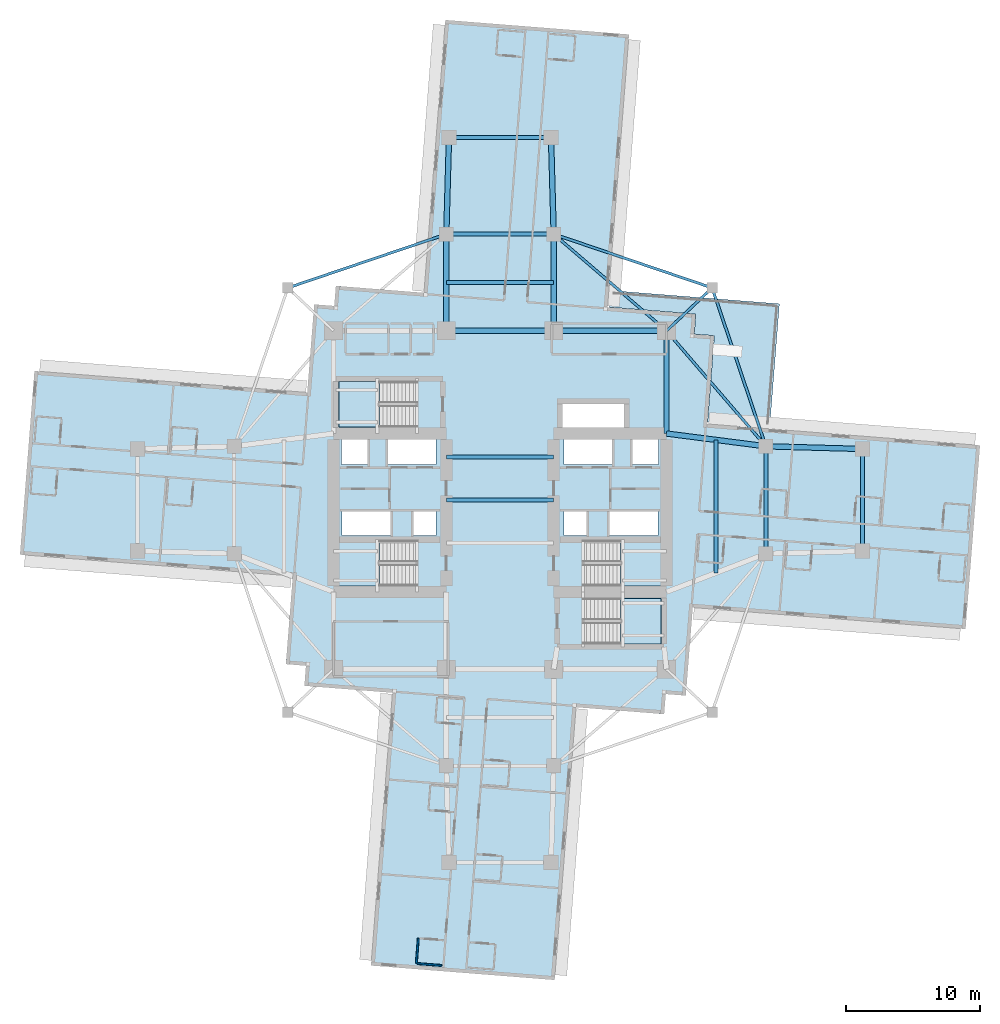
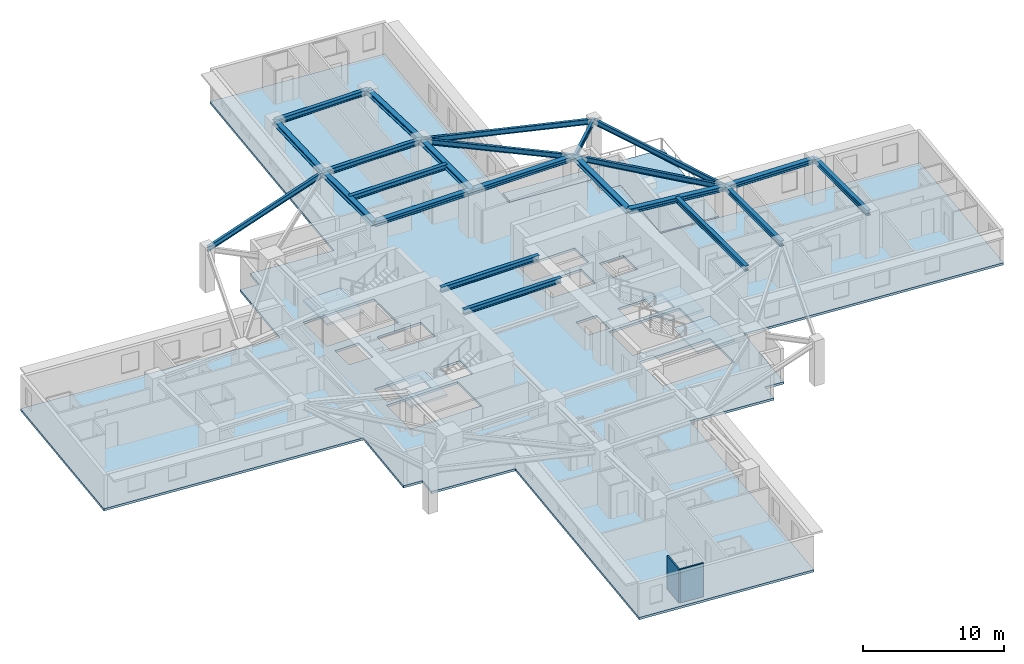
# One storey, part 2 of 14: 23 beams, 6 slabs, 2 walls, 4 elements without a shape of their own.
"""IFC4 building model written with IfcOpenShell, lengths in metres."""

import ifcopenshell
import ifcopenshell.guid

model = None  # the IFC model being written
_history = None  # IfcOwnerHistory: only IFC2X3 demands one
_inside = {}  # id of a spatial element -> (the spatial element, [elements in it])
_under = {}  # id of a project, library or spatial element -> (it, [spatial elements below it])
_declared = {}  # id of a project -> (the project, [libraries it declares])
_typed = {}  # id of a type object -> (the type object, [elements of that type])
_made_of = {}  # id of a material, layer set ... -> (it, [elements and type objects made of it])


def new_model(schema):
    """Start an empty IFC model of exactly this schema.

    Asked for "IFC4X3", IfcOpenShell would pick the latest addendum, in which some entities
    have other attributes; the version numbers below select the first issue.
    IFC2X3 requires an IfcOwnerHistory on every rooted entity: one is made here for all.
    """
    global model, _history
    if schema == "IFC4X3":
        model = ifcopenshell.file(schema_version=(4, 3, 0, 0))
    else:
        model = ifcopenshell.file(schema=schema)
    _inside.clear()
    _under.clear()
    _declared.clear()
    _typed.clear()
    _made_of.clear()
    _history = None
    if model.schema == "IFC2X3":
        org = make("IfcOrganization", Name="unknown")
        user = make(
            "IfcPersonAndOrganization",
            ThePerson=make("IfcPerson", FamilyName="unknown"),
            TheOrganization=org,
        )
        app = make(
            "IfcApplication",
            ApplicationDeveloper=org,
            Version="unknown",
            ApplicationFullName="unknown",
            ApplicationIdentifier="unknown",
        )
        _history = make(
            "IfcOwnerHistory",
            OwningUser=user,
            OwningApplication=app,
            ChangeAction="ADDED",
            CreationDate=0,
        )
    return model


def make(cls, **values):
    """One entity of the class cls with the attributes given. An attribute that is None is left unset."""
    return model.create_entity(
        cls, **{name: value for name, value in values.items() if value is not None}
    )


def rooted(cls, **values):
    """An entity with a GlobalId (a new one), such as an element, a storey or a relation."""
    return make(cls, GlobalId=ifcopenshell.guid.new(), OwnerHistory=_history, **values)


def si_unit(unit_type, name, prefix=None):
    """IfcSIUnit, for example si_unit("LENGTHUNIT", "METRE", prefix="MILLI")."""
    return make("IfcSIUnit", UnitType=unit_type, Prefix=prefix, Name=name)


def assignment(units):
    """IfcUnitAssignment: the units of a project."""
    return None if units is None else make("IfcUnitAssignment", Units=units)


def point(xyz):
    """IfcCartesianPoint."""
    return None if xyz is None else make("IfcCartesianPoint", Coordinates=xyz)


def direction(xyz):
    """IfcDirection."""
    return None if xyz is None else make("IfcDirection", DirectionRatios=xyz)


def frame(location, z_axis=None, x_axis=None):
    """IfcAxis2Placement3D, a coordinate frame: its origin and axes. An axis left out is left unset."""
    return make(
        "IfcAxis2Placement3D",
        Location=point(location),
        Axis=direction(z_axis),
        RefDirection=direction(x_axis),
    )


def frame_2d(location, x_axis=None):
    """IfcAxis2Placement2D, a coordinate frame in the plane: its origin and x axis."""
    return make(
        "IfcAxis2Placement2D", Location=point(location), RefDirection=direction(x_axis)
    )


def origin():
    """The frame at (0, 0, 0) with its axes left unset."""
    return frame((0.0, 0.0, 0.0))


def origin_2d():
    """The frame at (0, 0) in the plane with its x axis left unset."""
    return frame_2d((0.0, 0.0))


def place(relative_to, where):
    """IfcLocalPlacement: puts the frame where relative to a parent placement (None: the world)."""
    return make(
        "IfcLocalPlacement", PlacementRelTo=relative_to, RelativePlacement=where
    )


def context(
    kind, dimensions, precision=None, world=None, true_north=None, identifier=None
):
    """IfcGeometricRepresentationContext, for example the 3D "Model" context."""
    return make(
        "IfcGeometricRepresentationContext",
        ContextIdentifier=identifier,
        ContextType=kind,
        CoordinateSpaceDimension=dimensions,
        Precision=precision,
        WorldCoordinateSystem=world,
        TrueNorth=true_north,
    )


def subcontext(parent, identifier, kind, view, scale=None):
    """IfcGeometricRepresentationSubContext, for example "Body" below "Model"."""
    return make(
        "IfcGeometricRepresentationSubContext",
        ContextIdentifier=identifier,
        ContextType=kind,
        ParentContext=parent,
        TargetScale=scale,
        TargetView=view,
    )


def project(units=None, contexts=None):
    """IfcProject with its units and contexts."""
    return rooted(
        "IfcProject",
        Name="project",
        RepresentationContexts=contexts,
        UnitsInContext=assignment(units),
    )


def spatial(cls, under=None, at=None, **own):
    """A site, building, storey or space (cls), placed at a placement, below another one or the project."""
    s = rooted(cls, ObjectPlacement=at, **own)
    if under is not None:
        _under.setdefault(under.id(), (under, []))[1].append(s)
    return s


def polyline(points):
    """IfcPolyline through the points."""
    return make("IfcPolyline", Points=[point(p) for p in points])


def profile(cls, at=None, kind="AREA", **sizes):
    """A parametric profile (cls). Its sizes go by their IFC names, for example OverallWidth=200.0."""
    return make(cls, ProfileType=kind, Position=at, **sizes)


def rectangle(**sizes):
    """IfcRectangleProfileDef."""
    return profile("IfcRectangleProfileDef", **sizes)


def i_section(**sizes):
    """IfcIShapeProfileDef."""
    return profile("IfcIShapeProfileDef", **sizes)


def outline(outer, holes=None, kind="AREA"):
    """IfcArbitraryClosedProfileDef: a profile drawn as a closed curve; with holes, ...WithVoids."""
    if holes is None:
        return make("IfcArbitraryClosedProfileDef", ProfileType=kind, OuterCurve=outer)
    return make(
        "IfcArbitraryProfileDefWithVoids",
        ProfileType=kind,
        OuterCurve=outer,
        InnerCurves=holes,
    )


def extrude(swept, where, along, depth):
    """IfcExtrudedAreaSolid: the profile swept, set in the frame where, extruded along a direction by depth."""
    return make(
        "IfcExtrudedAreaSolid",
        SweptArea=swept,
        Position=where,
        ExtrudedDirection=direction(along),
        Depth=depth,
    )


def shape(context_of_items, identifier, shape_type, items):
    """IfcShapeRepresentation: the items that make up one representation, for example the "Body"."""
    return make(
        "IfcShapeRepresentation",
        ContextOfItems=context_of_items,
        RepresentationIdentifier=identifier,
        RepresentationType=shape_type,
        Items=items,
    )


def material(Name=None, Category=None):
    """IfcMaterial."""
    return make("IfcMaterial", Name=Name, Category=Category)


def layer(
    of_material, thickness, ventilated=None, Name=None, Category=None, Priority=None
):
    """IfcMaterialLayer: one layer of a wall or slab, of a material (None: an air gap)."""
    return make(
        "IfcMaterialLayer",
        Material=of_material,
        LayerThickness=thickness,
        IsVentilated=ventilated,
        Name=Name,
        Category=Category,
        Priority=Priority,
    )


def layer_set(layers, Name=None):
    """IfcMaterialLayerSet."""
    return make("IfcMaterialLayerSet", MaterialLayers=layers, LayerSetName=Name)


def material_profile(
    of_material, cross_section, Name=None, Category=None, Priority=None
):
    """IfcMaterialProfile: a cross section and its material."""
    return make(
        "IfcMaterialProfile",
        Name=Name,
        Material=of_material,
        Profile=cross_section,
        Priority=Priority,
        Category=Category,
    )


def profile_set(profiles, Name=None, composite=None):
    """IfcMaterialProfileSet."""
    return make(
        "IfcMaterialProfileSet",
        Name=Name,
        MaterialProfiles=profiles,
        CompositeProfile=composite,
    )


def made_of(thing, what):
    """Note that an element or type object is made of a material, layer set ...; save() writes the relation."""
    if what is not None:
        _made_of.setdefault(what.id(), (what, []))[1].append(thing)
    return thing


def type_object(cls, material=None, **own):
    """A type object (cls), such as IfcWallType, which elements share."""
    return made_of(rooted(cls, **own), material)


def element(
    cls,
    number,
    at=None,
    inside=None,
    cuts=None,
    type_object=None,
    material=None,
    context=None,
    identifier="Body",
    shape_type=None,
    held_by="IfcProductDefinitionShape",
    body=None,
    shapes=None,
    **own,
):
    """One element of the class cls, such as IfcWall. Its Tag is "e" and its number.

    at: its placement. inside: the storey or other place that contains it. cuts: it is an
    opening in that element (IfcRelVoidsElement). A single representation is given by context,
    identifier, shape_type and body (its items); several are given by shapes. held_by: the class
    of the entity that holds the representations. save() writes the other relations.
    """
    e = rooted(cls, Tag="e%d" % number, ObjectPlacement=at, **own)
    if body is not None:
        shapes = [shape(context, identifier, shape_type, body)]
    if shapes is not None:
        e.Representation = make(held_by, Representations=shapes)
    if inside is not None:
        _inside.setdefault(inside.id(), (inside, []))[1].append(e)
    if cuts is not None:
        rooted(
            "IfcRelVoidsElement", RelatingBuildingElement=cuts, RelatedOpeningElement=e
        )
    if type_object is not None:
        _typed.setdefault(type_object.id(), (type_object, []))[1].append(e)
    return made_of(e, material)


def aggregate(whole, parts):
    """IfcRelAggregates: a whole, such as a stair, and the parts it consists of."""
    return rooted("IfcRelAggregates", RelatingObject=whole, RelatedObjects=parts)


def save(model, path):
    """Write the relations noted so far, then the file.

    IfcRelAggregates (storeys below a building ...), IfcRelContainedInSpatialStructure (elements
    in a storey), IfcRelDefinesByType, IfcRelAssociatesMaterial and IfcRelDeclares: one each for
    every whole, place, type object, material and project.
    """
    for whole, parts in _under.values():
        aggregate(whole, parts)
    for where, things in _inside.values():
        rooted(
            "IfcRelContainedInSpatialStructure",
            RelatedElements=things,
            RelatingStructure=where,
        )
    for kind, things in _typed.values():
        rooted("IfcRelDefinesByType", RelatedObjects=things, RelatingType=kind)
    for what, things in _made_of.values():
        rooted("IfcRelAssociatesMaterial", RelatedObjects=things, RelatingMaterial=what)
    for by, libraries in _declared.values():
        rooted("IfcRelDeclares", RelatingContext=by, RelatedDefinitions=libraries)
    model.write(path)


model = new_model("IFC4")

# Units and contexts
model_context = context("Model", 3, precision=1e-05, world=origin(), true_north=direction((0.0, 1.0)))
body_context = subcontext(model_context, "Body", "Model", "MODEL_VIEW")
ifc_project = project(units=[si_unit("LENGTHUNIT", "METRE"), si_unit("AREAUNIT", "SQUARE_METRE"), si_unit("VOLUMEUNIT", "CUBIC_METRE"), si_unit("PLANEANGLEUNIT", "RADIAN"), si_unit("MASSUNIT", "GRAM", prefix="KILO")], contexts=[model_context])

# Site, building, storey
site_placement = place(None, origin())
site = spatial("IfcSite", under=ifc_project, at=site_placement, CompositionType="ELEMENT")
building_placement = place(site_placement, origin())
building = spatial("IfcBuilding", under=site, at=building_placement, Name="Qingluan Cross Belvedere", CompositionType="ELEMENT")
storey_placement = place(building_placement, frame((0.0, 0.0, 83.39990234375)))
storey = spatial("IfcBuildingStorey", under=building, at=storey_placement, Name="L21", CompositionType="ELEMENT", Elevation=83.39990234375)

# Beams
ifc_material_1 = material(Name="Steel Q420GJB", Category="steel")
ifc_material_profile_1 = material_profile(ifc_material_1, i_section(OverallWidth=0.300048828125, OverallDepth=0.43994140625, WebThickness=0.010986328125, FlangeThickness=0.01806640625, FilletRadius=0.02001953125, at=origin_2d()), Name="HM440x300x11x18")
ifc_profile_set_1 = profile_set([ifc_material_profile_1], Name="Steel Q420GJB")
beam_type_1 = type_object("IfcBeamType", Name="Steel_Beam_HM440x300x11x18", PredefinedType="BEAM", material=ifc_profile_set_1)
for number, where, z_axis, x_axis, name in (
    (1, (-4.0, 0.0, 3.47998046875), (1.0, 0.0, 0.0), (0.0, 1.0, 0.0), "Hall beam L21-CH2"),
    (2, (-4.0, 3.199951171875, 3.47998046875), (1.0, 0.0, 0.0), (0.0, 1.0, 0.0), "Hall beam L21-CH3"),
    (3, (19.800048828125, -4.0, 3.47998046875), (0.0, 1.0, 0.0), (-1.0, 0.0, 0.0), "Arm E tie L21"),
):
    element("IfcBeam", number, at=place(storey_placement, frame(where, z_axis=z_axis, x_axis=x_axis)), inside=storey, type_object=beam_type_1, Name=name, PredefinedType="BEAM", context=body_context, shape_type="SweptSolid", body=[
        extrude(i_section(OverallWidth=0.300048828125, OverallDepth=0.43994140625, WebThickness=0.010986328125, FlangeThickness=0.01806640625, FilletRadius=0.02001953125, at=origin_2d()), origin(), (0.0, 0.0, 1.0), 8.0),
    ])
beam_1_placement = place(storey_placement, frame((16.10009765625, -5.425048828125, 3.47998046875), z_axis=(0.0, 1.0, 0.0), x_axis=(-1.0, 0.0, 0.0)))
element("IfcBeam", 4, at=beam_1_placement, inside=storey, type_object=beam_type_1, Name="Arm E beam L21", PredefinedType="BEAM", context=body_context, shape_type="SweptSolid", body=[
    extrude(i_section(OverallWidth=0.300048828125, OverallDepth=0.43994140625, WebThickness=0.010986328125, FlangeThickness=0.01806640625, FilletRadius=0.02001953125, at=origin_2d()), origin(), (0.0, 0.0, 1.0), 9.900146484375),
])
beam_2_placement = place(storey_placement, frame((27.0, -3.800048828125, 3.47998046875), z_axis=(0.0, 1.0, 0.0), x_axis=(-1.0, 0.0, 0.0)))
element("IfcBeam", 5, at=beam_2_placement, inside=storey, type_object=beam_type_1, Name="Arm E tip transverse beam L21", PredefinedType="BEAM", context=body_context, shape_type="SweptSolid", body=[
    extrude(i_section(OverallWidth=0.300048828125, OverallDepth=0.43994140625, WebThickness=0.010986328125, FlangeThickness=0.01806640625, FilletRadius=0.02001953125, at=origin_2d()), origin(), (0.0, 0.0, 1.0), 7.60009765625),
])
for number, where, z_axis, x_axis, name in (
    (6, (-4.0, 19.800048828125, 3.47998046875), (1.0, 0.0, 0.0), (0.0, 1.0, 0.0), "Arm N tie L21"),
    (7, (-4.0, 16.199951171875, 3.47998046875), (1.0, 0.0, 0.0), (0.0, 1.0, 0.0), "Arm N beam L21"),
):
    element("IfcBeam", number, at=place(storey_placement, frame(where, z_axis=z_axis, x_axis=x_axis)), inside=storey, type_object=beam_type_1, Name=name, PredefinedType="BEAM", context=body_context, shape_type="SweptSolid", body=[
        extrude(i_section(OverallWidth=0.300048828125, OverallDepth=0.43994140625, WebThickness=0.010986328125, FlangeThickness=0.01806640625, FilletRadius=0.02001953125, at=origin_2d()), origin(), (0.0, 0.0, 1.0), 8.0),
    ])
beam_3_placement = place(storey_placement, frame((-3.800048828125, 27.0, 3.47998046875), z_axis=(1.0, 0.0, 0.0), x_axis=(0.0, 1.0, 0.0)))
element("IfcBeam", 8, at=beam_3_placement, inside=storey, type_object=beam_type_1, Name="Arm N tip transverse beam L21", PredefinedType="BEAM", context=body_context, shape_type="SweptSolid", body=[
    extrude(i_section(OverallWidth=0.300048828125, OverallDepth=0.43994140625, WebThickness=0.010986328125, FlangeThickness=0.01806640625, FilletRadius=0.02001953125, at=origin_2d()), origin(), (0.0, 0.0, 1.0), 7.60009765625),
])
ifc_material_2 = material(Name="Steel Q420GJB", Category="steel")
ifc_material_profile_2 = material_profile(ifc_material_2, i_section(OverallWidth=0.199951171875, OverallDepth=0.449951171875, WebThickness=0.009033203125, FlangeThickness=0.013916015625, FilletRadius=0.01611328125, at=origin_2d()), Name="HN450x200x9x14")
ifc_profile_set_2 = profile_set([ifc_material_profile_2], Name="Steel Q420GJB")
beam_type_2 = type_object("IfcBeamType", Name="Steel_Beam_HN450x200x9x14", PredefinedType="JOIST", material=ifc_profile_set_2)
beam_4_placement = place(storey_placement, frame((12.39990234375, 12.60009765625, 3.47509765625), z_axis=(0.728219948308, 0.685343495546, 0.0), x_axis=(-0.685343495546, 0.728219948308, 0.0)))
element("IfcBeam", 9, at=beam_4_placement, inside=storey, type_object=beam_type_2, Name="Corner beam 1 L21-RNE", PredefinedType="JOIST", context=body_context, shape_type="SweptSolid", body=[
    extrude(i_section(OverallWidth=0.199951171875, OverallDepth=0.449951171875, WebThickness=0.009033203125, FlangeThickness=0.013916015625, FilletRadius=0.01611328125, at=origin_2d()), origin(), (0.0, 0.0, 1.0), 4.669189453125),
])
for number, where, z_axis, x_axis, name in (
    (10, (15.800048828125, 15.800048828125, 3.47509765625), (-0.947066283324, 0.321038089628, 0.0), (-0.321038089628, -0.947066283324, 0.0), "Corner beam 2 L21-RNE"),
    (11, (15.800048828125, 15.800048828125, 3.47509765625), (0.321038089628, -0.947066283324, 0.0), (0.947066283324, 0.321038089628, 0.0), "Corner beam 3 L21-RNE"),
):
    element("IfcBeam", number, at=place(storey_placement, frame(where, z_axis=z_axis, x_axis=x_axis)), inside=storey, type_object=beam_type_2, Name=name, PredefinedType="JOIST", context=body_context, shape_type="SweptSolid", body=[
        extrude(i_section(OverallWidth=0.199951171875, OverallDepth=0.449951171875, WebThickness=0.009033203125, FlangeThickness=0.013916015625, FilletRadius=0.01611328125, at=origin_2d()), origin(), (0.0, 0.0, 1.0), 12.45947265625),
    ])
beam_5_placement = place(storey_placement, frame((12.39990234375, 12.60009765625, 3.47509765625), z_axis=(0.652245077546, -0.75800815221, 0.0), x_axis=(0.75800815221, 0.652245077546, 0.0)))
element("IfcBeam", 12, at=beam_5_placement, inside=storey, type_object=beam_type_2, Name="Corner beam 4 L21-RNE", PredefinedType="JOIST", context=body_context, shape_type="SweptSolid", body=[
    extrude(i_section(OverallWidth=0.199951171875, OverallDepth=0.449951171875, WebThickness=0.009033203125, FlangeThickness=0.013916015625, FilletRadius=0.01611328125, at=origin_2d()), origin(), (0.0, 0.0, 1.0), 11.345703125),
])
beam_6_placement = place(storey_placement, frame((12.39990234375, 12.60009765625, 3.47509765625), z_axis=(-0.759255044656, 0.650793190779, 0.0), x_axis=(-0.650793190779, -0.759255044656, 0.0)))
element("IfcBeam", 13, at=beam_6_placement, inside=storey, type_object=beam_type_2, Name="Corner beam 5 L21-RNE", PredefinedType="JOIST", context=body_context, shape_type="SweptSolid", body=[
    extrude(i_section(OverallWidth=0.199951171875, OverallDepth=0.449951171875, WebThickness=0.009033203125, FlangeThickness=0.013916015625, FilletRadius=0.01611328125, at=origin_2d()), origin(), (0.0, 0.0, 1.0), 11.063232421875),
])
beam_7_placement = place(storey_placement, frame((-15.800048828125, 15.800048828125, 3.455078125), z_axis=(0.947066283324, 0.321038089628, 0.0), x_axis=(-0.321038089628, 0.947066283324, 0.0)))
element("IfcBeam", 14, at=beam_7_placement, inside=storey, type_object=beam_type_2, Name="Corner beam 2 L21-RNW", PredefinedType="JOIST", context=body_context, shape_type="SweptSolid", body=[
    extrude(i_section(OverallWidth=0.199951171875, OverallDepth=0.449951171875, WebThickness=0.009033203125, FlangeThickness=0.013916015625, FilletRadius=0.01611328125, at=origin_2d()), origin(), (0.0, 0.0, 1.0), 12.45947265625),
])
ifc_material_3 = material(Name="Steel Q420GJB", Category="steel")
ifc_material_profile_3 = material_profile(ifc_material_3, i_section(OverallWidth=0.39990234375, OverallDepth=0.39990234375, WebThickness=0.012939453125, FlangeThickness=0.02099609375, FilletRadius=0.02197265625, at=origin_2d()), Name="HW400x400x13x21")
ifc_profile_set_3 = profile_set([ifc_material_profile_3], Name="Steel Q420GJB")
beam_type_3 = type_object("IfcBeamType", Name="Steel_Girder_HW400x400x13x21", PredefinedType="USERDEFINED", material=ifc_profile_set_3)
beam_8_placement = place(storey_placement, frame((-4.0, 12.60009765625, 3.5), z_axis=(1.0, 0.0, 0.0), x_axis=(0.0, 1.0, 0.0)))
element("IfcBeam", 15, at=beam_8_placement, inside=storey, type_object=beam_type_3, Name="Hub girder L21-HG-N2", ObjectType="GIRDER", PredefinedType="USERDEFINED", context=body_context, shape_type="SweptSolid", body=[
    extrude(i_section(OverallWidth=0.39990234375, OverallDepth=0.39990234375, WebThickness=0.012939453125, FlangeThickness=0.02099609375, FilletRadius=0.02197265625, at=origin_2d()), origin(), (0.0, 0.0, 1.0), 8.0),
])
beam_9_placement = place(storey_placement, frame((4.0, 12.60009765625, 3.5), z_axis=(1.0, 0.0, 0.0), x_axis=(0.0, 1.0, 0.0)))
element("IfcBeam", 16, at=beam_9_placement, inside=storey, type_object=beam_type_3, Name="Hub girder L21-HG-N3", ObjectType="GIRDER", PredefinedType="USERDEFINED", context=body_context, shape_type="SweptSolid", body=[
    extrude(i_section(OverallWidth=0.39990234375, OverallDepth=0.39990234375, WebThickness=0.012939453125, FlangeThickness=0.02099609375, FilletRadius=0.02197265625, at=origin_2d()), origin(), (0.0, 0.0, 1.0), 8.39990234375),
])
beam_10_placement = place(storey_placement, frame((12.39990234375, 4.949951171875, 3.5), z_axis=(0.0, 1.0, 0.0), x_axis=(-1.0, 0.0, 0.0)))
element("IfcBeam", 17, at=beam_10_placement, inside=storey, type_object=beam_type_3, Name="Hub girder L21-HG-E2", ObjectType="GIRDER", PredefinedType="USERDEFINED", context=body_context, shape_type="SweptSolid", body=[
    extrude(i_section(OverallWidth=0.39990234375, OverallDepth=0.39990234375, WebThickness=0.012939453125, FlangeThickness=0.02099609375, FilletRadius=0.02197265625, at=origin_2d()), origin(), (0.0, 0.0, 1.0), 7.650146484375),
])
beam_11_placement = place(storey_placement, frame((12.39990234375, 4.949951171875, 3.5), z_axis=(0.991861120628, -0.12732445714, 0.0), x_axis=(0.12732445714, 0.991861120628, 0.0)))
element("IfcBeam", 18, at=beam_11_placement, inside=storey, type_object=beam_type_3, Name="Arm E radial girder B L21", ObjectType="GIRDER", PredefinedType="USERDEFINED", context=body_context, shape_type="SweptSolid", body=[
    extrude(i_section(OverallWidth=0.39990234375, OverallDepth=0.39990234375, WebThickness=0.012939453125, FlangeThickness=0.02099609375, FilletRadius=0.02197265625, at=origin_2d()), origin(), (0.0, 0.0, 1.0), 7.4609375),
])
beam_12_placement = place(storey_placement, frame((19.800048828125, 4.0, 3.5), z_axis=(0.999614603568, -0.027760481514, 0.0), x_axis=(0.027760481514, 0.999614603568, 0.0)))
element("IfcBeam", 19, at=beam_12_placement, inside=storey, type_object=beam_type_3, Name="Arm E outer radial girder B L21", ObjectType="GIRDER", PredefinedType="USERDEFINED", context=body_context, shape_type="SweptSolid", body=[
    extrude(i_section(OverallWidth=0.39990234375, OverallDepth=0.39990234375, WebThickness=0.012939453125, FlangeThickness=0.02099609375, FilletRadius=0.02197265625, at=origin_2d()), origin(), (0.0, 0.0, 1.0), 7.20263671875),
])
for number, where, z_axis, x_axis, name in (
    (20, (-4.0, 12.60009765625, 3.5), (0.0, 1.0, 0.0), (-1.0, 0.0, 0.0), "Arm N radial girder A L21"),
    (21, (4.0, 12.60009765625, 3.5), (0.0, 1.0, 0.0), (-1.0, 0.0, 0.0), "Arm N radial girder B L21"),
):
    element("IfcBeam", number, at=place(storey_placement, frame(where, z_axis=z_axis, x_axis=x_axis)), inside=storey, type_object=beam_type_3, Name=name, ObjectType="GIRDER", PredefinedType="USERDEFINED", context=body_context, shape_type="SweptSolid", body=[
        extrude(i_section(OverallWidth=0.39990234375, OverallDepth=0.39990234375, WebThickness=0.012939453125, FlangeThickness=0.02099609375, FilletRadius=0.02197265625, at=origin_2d()), origin(), (0.0, 0.0, 1.0), 7.199951171875),
    ])
for number, where, z_axis, x_axis, name in (
    (22, (-4.0, 19.800048828125, 3.5), (0.027760481514, 0.999614603568, 0.0), (-0.999614603568, 0.027760481514, 0.0), "Arm N outer radial girder A L21"),
    (23, (4.0, 19.800048828125, 3.5), (-0.027760481514, 0.999614603568, 0.0), (-0.999614603568, -0.027760481514, 0.0), "Arm N outer radial girder B L21"),
):
    element("IfcBeam", number, at=place(storey_placement, frame(where, z_axis=z_axis, x_axis=x_axis)), inside=storey, type_object=beam_type_3, Name=name, ObjectType="GIRDER", PredefinedType="USERDEFINED", context=body_context, shape_type="SweptSolid", body=[
        extrude(i_section(OverallWidth=0.39990234375, OverallDepth=0.39990234375, WebThickness=0.012939453125, FlangeThickness=0.02099609375, FilletRadius=0.02197265625, at=origin_2d()), origin(), (0.0, 0.0, 1.0), 7.20263671875),
    ])

# Slab
ifc_material_4 = material(Name="Concrete C40", Category="concrete")
ifc_layer_1 = layer(ifc_material_4, 0.199951171875, Name="FloorSlab_200")
ifc_layer_set_1 = layer_set([ifc_layer_1], Name="Concrete C40")
slab_type_1 = type_object("IfcSlabType", Name="FloorSlab_200", PredefinedType="FLOOR", material=ifc_layer_set_1)
slab_1_placement = place(storey_placement, frame((0.0, 0.0, -0.199951171875)))
element("IfcSlab", 24, at=slab_1_placement, inside=storey, type_object=slab_type_1, Name="Structural floor slab L21", PredefinedType="FLOOR", context=body_context, shape_type="SweptSolid", body=[
    extrude(outline(polyline([(4.067626953125, -35.749267578125), (5.666748046875, -15.43212890625), (12.226318359375, -15.948486328125), (12.343994140625, -14.453125), (13.839599609375, -14.57080078125), (14.355712890625, -8.010986328125), (34.6728515625, -9.610107421875), (35.749267578125, 4.067626953125), (15.43212890625, 5.666748046875), (15.948486328125, 12.226318359375), (14.453125, 12.343994140625), (14.57080078125, 13.839599609375), (8.010986328125, 14.355712890625), (9.610107421875, 34.6728515625), (-4.067626953125, 35.749267578125), (-5.666748046875, 15.43212890625), (-12.226318359375, 15.948486328125), (-12.343994140625, 14.453125), (-13.839599609375, 14.57080078125), (-14.355712890625, 8.010986328125), (-34.6728515625, 9.610107421875), (-35.749267578125, -4.067626953125), (-15.43212890625, -5.666748046875), (-15.948486328125, -12.226318359375), (-14.453125, -12.343994140625), (-14.57080078125, -13.839599609375), (-8.010986328125, -14.355712890625), (-9.610107421875, -34.6728515625), (4.067626953125, -35.749267578125)]), holes=[polyline([(-12.0, -3.0), (-6.179931640625, -3.0), (-6.179931640625, -6.39990234375), (-12.0, -6.39990234375), (-12.0, -3.0)]), polyline([(6.179931640625, -3.0), (12.0, -3.0), (12.0, -6.39990234375), (6.179931640625, -6.39990234375), (6.179931640625, -3.0)]), polyline([(-12.0, 8.820068359375), (-6.179931640625, 8.820068359375), (-6.179931640625, 5.419921875), (-12.0, 5.419921875), (-12.0, 8.820068359375)]), polyline([(6.179931640625, -7.320068359375), (12.0, -7.320068359375), (12.0, -10.719970703125), (6.179931640625, -10.719970703125), (6.179931640625, -7.320068359375)]), polyline([(-11.800048828125, 4.64990234375), (-9.85009765625, 4.64990234375), (-9.85009765625, 2.64990234375), (-11.800048828125, 2.64990234375), (-11.800048828125, 4.64990234375)]), polyline([(-8.35009765625, 4.64990234375), (-4.75, 4.64990234375), (-4.75, 2.64990234375), (-8.35009765625, 2.64990234375), (-8.35009765625, 4.64990234375)]), polyline([(4.75, 4.64990234375), (8.35009765625, 4.64990234375), (8.35009765625, 2.64990234375), (4.75, 2.64990234375), (4.75, 4.64990234375)]), polyline([(9.85009765625, 4.64990234375), (11.800048828125, 4.64990234375), (11.800048828125, 2.64990234375), (9.85009765625, 2.64990234375), (9.85009765625, 4.64990234375)]), polyline([(-11.75, -0.840087890625), (-8.14990234375, -0.840087890625), (-8.14990234375, -2.659912109375), (-11.75, -2.659912109375), (-11.75, -0.840087890625)]), polyline([(-6.449951171875, -0.840087890625), (-4.75, -0.840087890625), (-4.75, -2.659912109375), (-6.449951171875, -2.659912109375), (-6.449951171875, -0.840087890625)]), polyline([(4.75, -0.840087890625), (6.449951171875, -0.840087890625), (6.449951171875, -2.659912109375), (4.75, -2.659912109375), (4.75, -0.840087890625)]), polyline([(8.14990234375, -0.840087890625), (11.75, -0.840087890625), (11.75, -2.659912109375), (8.14990234375, -2.659912109375), (8.14990234375, -0.840087890625)]), polyline([(4.64990234375, 7.14990234375), (9.25, 7.14990234375), (9.25, 5.14990234375), (4.64990234375, 5.14990234375), (4.64990234375, 7.14990234375)])]), origin(), (0.0, 0.0, 1.0), 0.199951171875),
])

# Stair, slab
ifc_material_5 = material(Name="Concrete C40", Category="concrete")
stair_type = type_object("IfcStairType", Name="CoreDoglegStair_1620", PredefinedType="HALF_TURN_STAIR", material=ifc_material_5)
stair_1_placement = place(storey_placement, origin())
stair_1 = element("IfcStair", 25, at=stair_1_placement, inside=storey, type_object=stair_type, Name="L21 ST1", PredefinedType="HALF_TURN_STAIR")
ifc_material_6 = material(Name="Concrete C40", Category="concrete")
ifc_layer_2 = layer(ifc_material_6, 0.179931640625, Name="StairLandingSlab_180")
ifc_layer_set_2 = layer_set([ifc_layer_2], Name="Concrete C40")
slab_type_2 = type_object("IfcSlabType", Name="StairLandingSlab_180", PredefinedType="LANDING", material=ifc_layer_set_2)
slab_2_placement = place(storey_placement, frame((0.0, 0.0, 1.75)))
slab_2 = element("IfcSlab", 26, at=slab_2_placement, type_object=slab_type_2, Name="ST1 landing 1", PredefinedType="LANDING", context=body_context, shape_type="SweptSolid", body=[
    extrude(outline(polyline([(-8.97998046875, -3.0), (-12.0, -3.0), (-12.0, -6.39990234375), (-8.97998046875, -6.39990234375), (-8.97998046875, -3.0)])), origin(), (0.0, 0.0, 1.0), 0.2001953125),
])
aggregate(stair_1, [slab_2])

stair_2_placement = place(storey_placement, origin())
stair_2 = element("IfcStair", 27, at=stair_2_placement, inside=storey, type_object=stair_type, Name="L21 ST2", PredefinedType="HALF_TURN_STAIR")
slab_3_placement = place(storey_placement, frame((0.0, 0.0, 1.75)))
slab_3 = element("IfcSlab", 28, at=slab_3_placement, type_object=slab_type_2, Name="ST2 landing 1", PredefinedType="LANDING", context=body_context, shape_type="SweptSolid", body=[
    extrude(outline(polyline([(8.97998046875, -6.39990234375), (12.0, -6.39990234375), (12.0, -3.0), (8.97998046875, -3.0), (8.97998046875, -6.39990234375)])), origin(), (0.0, 0.0, 1.0), 0.2001953125),
])
aggregate(stair_2, [slab_3])

stair_3_placement = place(storey_placement, origin())
stair_3 = element("IfcStair", 29, at=stair_3_placement, inside=storey, type_object=stair_type, Name="L21 ST3", PredefinedType="HALF_TURN_STAIR")
slab_4_placement = place(storey_placement, frame((0.0, 0.0, 1.75)))
slab_4 = element("IfcSlab", 30, at=slab_4_placement, type_object=slab_type_2, Name="ST3 landing 1", PredefinedType="LANDING", context=body_context, shape_type="SweptSolid", body=[
    extrude(outline(polyline([(-8.97998046875, 8.820068359375), (-12.0, 8.820068359375), (-12.0, 5.419921875), (-8.97998046875, 5.419921875), (-8.97998046875, 8.820068359375)])), origin(), (0.0, 0.0, 1.0), 0.2001953125),
])
aggregate(stair_3, [slab_4])

stair_4_placement = place(storey_placement, origin())
stair_4 = element("IfcStair", 31, at=stair_4_placement, inside=storey, type_object=stair_type, Name="L21 ST4", PredefinedType="HALF_TURN_STAIR")
slab_5_placement = place(storey_placement, frame((0.0, 0.0, 1.75)))
slab_5 = element("IfcSlab", 32, at=slab_5_placement, type_object=slab_type_2, Name="ST4 landing 1", PredefinedType="LANDING", context=body_context, shape_type="SweptSolid", body=[
    extrude(outline(polyline([(8.97998046875, -10.719970703125), (12.0, -10.719970703125), (12.0, -7.320068359375), (8.97998046875, -7.320068359375), (8.97998046875, -10.719970703125)])), origin(), (0.0, 0.0, 1.0), 0.2001953125),
])
aggregate(stair_4, [slab_5])

# Slab
ifc_material_7 = material(Name="Concrete C40", Category="concrete")
ifc_layer_3 = layer(ifc_material_7, 0.219970703125, Name="TerraceSlab_220")
ifc_layer_set_3 = layer_set([ifc_layer_3], Name="Concrete C40")
slab_type_3 = type_object("IfcSlabType", Name="TerraceSlab_220", PredefinedType="FLOOR", material=ifc_layer_set_3)
slab_6_placement = place(storey_placement, frame((0.0, 0.0, -0.219970703125)))
element("IfcSlab", 33, at=slab_6_placement, inside=storey, type_object=slab_type_3, Name="Spiralling winter-garden terrace slab L21", PredefinedType="FLOOR", context=body_context, shape_type="SweptSolid", body=[
    extrude(outline(polyline([(8.1513671875, 14.354736328125), (14.576904296875, 13.847412109375), (14.4638671875, 12.353271484375), (15.94921875, 12.236328125), (15.95849609375, 12.2275390625), (15.453125, 5.805419921875), (20.0888671875, 5.440673828125), (20.810546875, 14.6123046875), (8.24951171875, 15.600830078125), (8.1513671875, 14.354736328125)])), origin(), (0.0, 0.0, 1.0), 0.219970703125),
])

# Walls
ifc_material_8 = material(Name="Moisture-resistant gypsum board lining")
ifc_layer_4 = layer(ifc_material_8, 0.1201171875, Name="EnsuiteWetPartition_120")
ifc_layer_set_4 = layer_set([ifc_layer_4], Name="Moisture-resistant gypsum board lining")
wall_type = type_object("IfcWallType", Name="EnsuiteWetPartition_120", PredefinedType="PARTITIONING", material=ifc_layer_set_4)
wall_1_placement = place(storey_placement, frame((-6.16748046875, -34.5224609375, 0.0), z_axis=(0.0, 0.0, 1.0), x_axis=(0.996915574626, -0.078481444107, 0.0)))
element("IfcWall", 34, at=wall_1_placement, inside=storey, type_object=wall_type, Name="Partition L21:S:bw1_2", PredefinedType="PARTITIONING", context=body_context, shape_type="SweptSolid", body=[
    extrude(rectangle(XDim=1.81982421875, YDim=0.1201171875, at=frame_2d((0.909912109375, 0.0))), origin(), (0.0, 0.0, 1.0), 2.900146484375),
])
wall_2_placement = place(storey_placement, frame((-6.0849609375, -32.643310546875, 0.0), z_axis=(0.0, 0.0, 1.0), x_axis=(-0.078444342213, -0.99691849475, 0.0)))
element("IfcWall", 35, at=wall_2_placement, inside=storey, type_object=wall_type, Name="Partition L21:S:bc1_2", PredefinedType="PARTITIONING", context=body_context, shape_type="SweptSolid", body=[
    extrude(rectangle(XDim=1.8798828125, YDim=0.1201171875, at=frame_2d((0.93994140625, 0.0))), origin(), (0.0, 0.0, 1.0), 2.900146484375),
])

save(model, "model.ifc")
